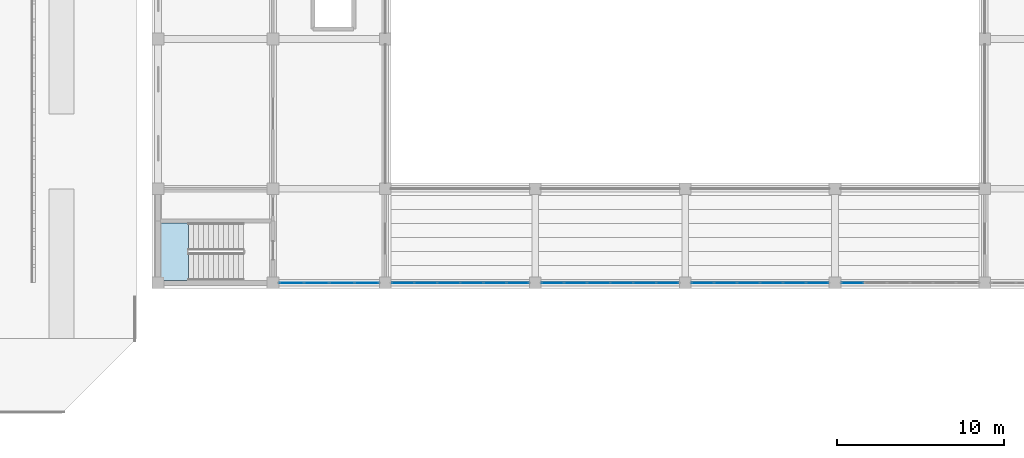
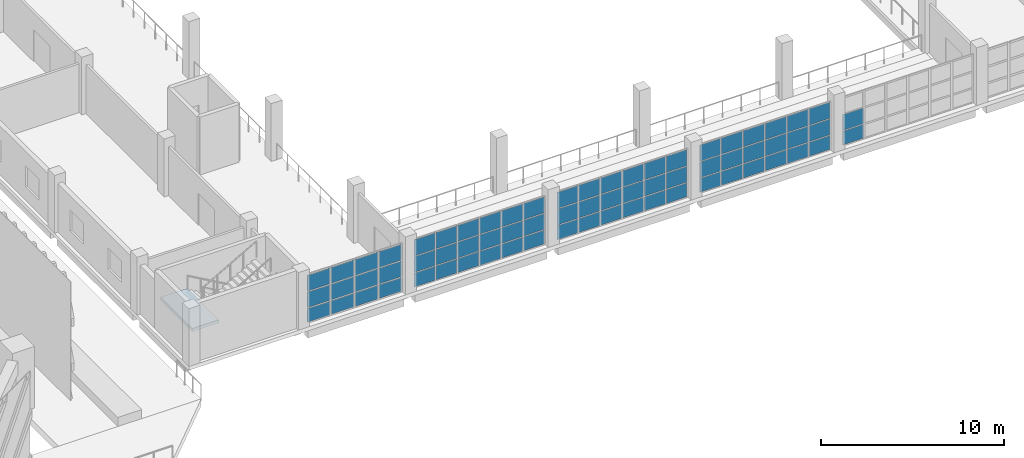
# One storey, part 13 of 36: 68 plates, 1 slab, 6 elements without a shape of their own.
"""IFC4 building model written with IfcOpenShell, lengths in metres."""

from ifc_helpers import new_model, si_unit, direction, frame, origin, origin_2d, place, context, subcontext, project, spatial, polyline, rectangle, outline, extrude, material, layer, layer_set, type_object, element, aggregate, save


model = new_model("IFC4")

# Units and contexts
model_context = context("Model", 3, precision=1e-05, world=origin(), true_north=direction((0.0, 1.0)))
body_context = subcontext(model_context, "Body", "Model", "MODEL_VIEW")
ifc_project = project(units=[si_unit("LENGTHUNIT", "METRE"), si_unit("AREAUNIT", "SQUARE_METRE"), si_unit("VOLUMEUNIT", "CUBIC_METRE"), si_unit("PLANEANGLEUNIT", "RADIAN"), si_unit("MASSUNIT", "GRAM", prefix="KILO")], contexts=[model_context])

# Site, building, storey
site_placement = place(None, origin())
site = spatial("IfcSite", under=ifc_project, at=site_placement, CompositionType="ELEMENT")
building_placement = place(site_placement, origin())
building = spatial("IfcBuilding", under=site, at=building_placement, Name="Corbel Stack Research Tower", CompositionType="ELEMENT")
storey_placement = place(building_placement, frame((0.0, 0.0, 7.199951171875)))
storey = spatial("IfcBuildingStorey", under=building, at=storey_placement, Name="L01", CompositionType="ELEMENT", Elevation=7.199951171875)

# Curtain wall, plates
ifc_material_1 = material(Name="Aluminium", Category="aluminium")
ifc_layer_1 = layer(ifc_material_1, 0.14990234375)
ifc_layer_set_1 = layer_set([ifc_layer_1], Name="Aluminium")
curtain_wall_type_1 = type_object("IfcCurtainWallType", Name="CW5 main facade curtain wall", PredefinedType="NOTDEFINED", material=ifc_layer_set_1)
curtain_wall_1_placement = place(storey_placement, origin())
curtain_wall_1 = element("IfcCurtainWall", 1, at=curtain_wall_1_placement, inside=storey, type_object=curtain_wall_type_1, Name="Main facade curtain wall L01 1", PredefinedType="NOTDEFINED")
ifc_material_2 = material(Name="Glass", Category="glass")
ifc_layer_2 = layer(ifc_material_2, 0.028076171875)
ifc_layer_set_2 = layer_set([ifc_layer_2], Name="Glass")
plate_type_1 = type_object("IfcPlateType", Name="CW5 glass panel 28", PredefinedType="CURTAIN_PANEL", material=ifc_layer_set_2)
plate_1_placement = place(storey_placement, frame((45.3212890625, -23.64990234375, 0.06005859375), z_axis=(0.0, 0.0, 1.0), x_axis=(1.0, 0.0, 0.0)))
plate_1 = element("IfcPlate", 2, at=plate_1_placement, type_object=plate_type_1, Name="CW5 panel 1.1", PredefinedType="CURTAIN_PANEL", context=body_context, shape_type="SweptSolid", body=[
    extrude(rectangle(XDim=1.422607421875, YDim=0.028076171875, at=origin_2d()), origin(), (0.0, 0.0, 1.0), 0.909912109375),
])
plate_2_placement = place(storey_placement, frame((45.3212890625, -23.64990234375, 1.030029296875), z_axis=(0.0, 0.0, 1.0), x_axis=(1.0, 0.0, 0.0)))
plate_2 = element("IfcPlate", 3, at=plate_2_placement, type_object=plate_type_1, Name="CW5 panel 1.2", PredefinedType="CURTAIN_PANEL", context=body_context, shape_type="SweptSolid", body=[
    extrude(rectangle(XDim=1.422607421875, YDim=0.028076171875, at=origin_2d()), origin(), (0.0, 0.0, 1.0), 1.0400390625),
])
plate_3_placement = place(storey_placement, frame((45.3212890625, -23.64990234375, 2.130126953125), z_axis=(0.0, 0.0, 1.0), x_axis=(1.0, 0.0, 0.0)))
plate_3 = element("IfcPlate", 4, at=plate_3_placement, type_object=plate_type_1, Name="CW5 panel 1.3", PredefinedType="CURTAIN_PANEL", context=body_context, shape_type="SweptSolid", body=[
    extrude(rectangle(XDim=1.422607421875, YDim=0.028076171875, at=origin_2d()), origin(), (0.0, 0.0, 1.0), 1.06005859375),
])
plate_4_placement = place(storey_placement, frame((46.81884765625, -23.64990234375, 0.06005859375), z_axis=(0.0, 0.0, 1.0), x_axis=(1.0, 0.0, 0.0)))
plate_4 = element("IfcPlate", 5, at=plate_4_placement, type_object=plate_type_1, Name="CW5 panel 2.1", PredefinedType="CURTAIN_PANEL", context=body_context, shape_type="SweptSolid", body=[
    extrude(rectangle(XDim=1.452392578125, YDim=0.028076171875, at=origin_2d()), origin(), (0.0, 0.0, 1.0), 0.909912109375),
])
plate_5_placement = place(storey_placement, frame((46.81884765625, -23.64990234375, 1.030029296875), z_axis=(0.0, 0.0, 1.0), x_axis=(1.0, 0.0, 0.0)))
plate_5 = element("IfcPlate", 6, at=plate_5_placement, type_object=plate_type_1, Name="CW5 panel 2.2", PredefinedType="CURTAIN_PANEL", context=body_context, shape_type="SweptSolid", body=[
    extrude(rectangle(XDim=1.452392578125, YDim=0.028076171875, at=origin_2d()), origin(), (0.0, 0.0, 1.0), 1.0400390625),
])
plate_6_placement = place(storey_placement, frame((46.81884765625, -23.64990234375, 2.130126953125), z_axis=(0.0, 0.0, 1.0), x_axis=(1.0, 0.0, 0.0)))
plate_6 = element("IfcPlate", 7, at=plate_6_placement, type_object=plate_type_1, Name="CW5 panel 2.3", PredefinedType="CURTAIN_PANEL", context=body_context, shape_type="SweptSolid", body=[
    extrude(rectangle(XDim=1.452392578125, YDim=0.028076171875, at=origin_2d()), origin(), (0.0, 0.0, 1.0), 1.06005859375),
])
plate_7_placement = place(storey_placement, frame((48.331298828125, -23.64990234375, 0.06005859375), z_axis=(0.0, 0.0, 1.0), x_axis=(1.0, 0.0, 0.0)))
plate_7 = element("IfcPlate", 8, at=plate_7_placement, type_object=plate_type_1, Name="CW5 panel 3.1", PredefinedType="CURTAIN_PANEL", context=body_context, shape_type="SweptSolid", body=[
    extrude(rectangle(XDim=1.452392578125, YDim=0.028076171875, at=origin_2d()), origin(), (0.0, 0.0, 1.0), 0.909912109375),
])
plate_8_placement = place(storey_placement, frame((48.331298828125, -23.64990234375, 1.030029296875), z_axis=(0.0, 0.0, 1.0), x_axis=(1.0, 0.0, 0.0)))
plate_8 = element("IfcPlate", 9, at=plate_8_placement, type_object=plate_type_1, Name="CW5 panel 3.2", PredefinedType="CURTAIN_PANEL", context=body_context, shape_type="SweptSolid", body=[
    extrude(rectangle(XDim=1.452392578125, YDim=0.028076171875, at=origin_2d()), origin(), (0.0, 0.0, 1.0), 1.0400390625),
])
plate_9_placement = place(storey_placement, frame((48.331298828125, -23.64990234375, 2.130126953125), z_axis=(0.0, 0.0, 1.0), x_axis=(1.0, 0.0, 0.0)))
plate_9 = element("IfcPlate", 10, at=plate_9_placement, type_object=plate_type_1, Name="CW5 panel 3.3", PredefinedType="CURTAIN_PANEL", context=body_context, shape_type="SweptSolid", body=[
    extrude(rectangle(XDim=1.452392578125, YDim=0.028076171875, at=origin_2d()), origin(), (0.0, 0.0, 1.0), 1.06005859375),
])
plate_10_placement = place(storey_placement, frame((49.828857421875, -23.64990234375, 0.06005859375), z_axis=(0.0, 0.0, 1.0), x_axis=(1.0, 0.0, 0.0)))
plate_10 = element("IfcPlate", 11, at=plate_10_placement, type_object=plate_type_1, Name="CW5 panel 4.1", PredefinedType="CURTAIN_PANEL", context=body_context, shape_type="SweptSolid", body=[
    extrude(rectangle(XDim=1.422607421875, YDim=0.028076171875, at=origin_2d()), origin(), (0.0, 0.0, 1.0), 0.909912109375),
])
plate_11_placement = place(storey_placement, frame((49.828857421875, -23.64990234375, 1.030029296875), z_axis=(0.0, 0.0, 1.0), x_axis=(1.0, 0.0, 0.0)))
plate_11 = element("IfcPlate", 12, at=plate_11_placement, type_object=plate_type_1, Name="CW5 panel 4.2", PredefinedType="CURTAIN_PANEL", context=body_context, shape_type="SweptSolid", body=[
    extrude(rectangle(XDim=1.422607421875, YDim=0.028076171875, at=origin_2d()), origin(), (0.0, 0.0, 1.0), 1.0400390625),
])
plate_12_placement = place(storey_placement, frame((49.828857421875, -23.64990234375, 2.130126953125), z_axis=(0.0, 0.0, 1.0), x_axis=(1.0, 0.0, 0.0)))
plate_12 = element("IfcPlate", 13, at=plate_12_placement, type_object=plate_type_1, Name="CW5 panel 4.3", PredefinedType="CURTAIN_PANEL", context=body_context, shape_type="SweptSolid", body=[
    extrude(rectangle(XDim=1.422607421875, YDim=0.028076171875, at=origin_2d()), origin(), (0.0, 0.0, 1.0), 1.06005859375),
])
aggregate(curtain_wall_1, [plate_1, plate_2, plate_3, plate_4, plate_5, plate_6, plate_7, plate_8, plate_9, plate_10, plate_11, plate_12])

ifc_material_3 = material(Name="Aluminium", Category="aluminium")
ifc_layer_3 = layer(ifc_material_3, 0.139892578125)
ifc_layer_set_3 = layer_set([ifc_layer_3], Name="Aluminium")
curtain_wall_type_2 = type_object("IfcCurtainWallType", Name="CW6 gallery curtain wall", PredefinedType="NOTDEFINED", material=ifc_layer_set_3)
curtain_wall_2_placement = place(storey_placement, origin())
curtain_wall_2 = element("IfcCurtainWall", 14, at=curtain_wall_2_placement, inside=storey, type_object=curtain_wall_type_2, Name="Gallery curtain wall L01 5", PredefinedType="NOTDEFINED")
ifc_material_4 = material(Name="Glass", Category="glass")
ifc_layer_4 = layer(ifc_material_4, 0.02392578125)
ifc_layer_set_4 = layer_set([ifc_layer_4], Name="Glass")
plate_type_2 = type_object("IfcPlateType", Name="CW6 glass panel 24", PredefinedType="CURTAIN_PANEL", material=ifc_layer_set_4)
plate_13_placement = place(storey_placement, frame((52.004150390625, -23.64990234375, 0.0498046875), z_axis=(0.0, 0.0, 1.0), x_axis=(1.0, 0.0, 0.0)))
plate_13 = element("IfcPlate", 15, at=plate_13_placement, type_object=plate_type_2, Name="CW6 panel 1.1", PredefinedType="CURTAIN_PANEL", context=body_context, shape_type="SweptSolid", body=[
    extrude(rectangle(XDim=1.308349609375, YDim=0.02392578125, at=origin_2d()), origin(), (0.0, 0.0, 1.0), 0.925048828125),
])
plate_14_placement = place(storey_placement, frame((52.004150390625, -23.64990234375, 1.02490234375), z_axis=(0.0, 0.0, 1.0), x_axis=(1.0, 0.0, 0.0)))
plate_14 = element("IfcPlate", 16, at=plate_14_placement, type_object=plate_type_2, Name="CW6 panel 1.2", PredefinedType="CURTAIN_PANEL", context=body_context, shape_type="SweptSolid", body=[
    extrude(rectangle(XDim=1.308349609375, YDim=0.02392578125, at=origin_2d()), origin(), (0.0, 0.0, 1.0), 1.050048828125),
])
plate_15_placement = place(storey_placement, frame((52.004150390625, -23.64990234375, 2.125), z_axis=(0.0, 0.0, 1.0), x_axis=(1.0, 0.0, 0.0)))
plate_15 = element("IfcPlate", 17, at=plate_15_placement, type_object=plate_type_2, Name="CW6 panel 1.3", PredefinedType="CURTAIN_PANEL", context=body_context, shape_type="SweptSolid", body=[
    extrude(rectangle(XDim=1.308349609375, YDim=0.02392578125, at=origin_2d()), origin(), (0.0, 0.0, 1.0), 1.074951171875),
])
plate_16_placement = place(storey_placement, frame((53.375, -23.64990234375, 0.0498046875), z_axis=(0.0, 0.0, 1.0), x_axis=(1.0, 0.0, 0.0)))
plate_16 = element("IfcPlate", 18, at=plate_16_placement, type_object=plate_type_2, Name="CW6 panel 2.1", PredefinedType="CURTAIN_PANEL", context=body_context, shape_type="SweptSolid", body=[
    extrude(rectangle(XDim=1.333251953125, YDim=0.02392578125, at=origin_2d()), origin(), (0.0, 0.0, 1.0), 0.925048828125),
])
plate_17_placement = place(storey_placement, frame((53.375, -23.64990234375, 1.02490234375), z_axis=(0.0, 0.0, 1.0), x_axis=(1.0, 0.0, 0.0)))
plate_17 = element("IfcPlate", 19, at=plate_17_placement, type_object=plate_type_2, Name="CW6 panel 2.2", PredefinedType="CURTAIN_PANEL", context=body_context, shape_type="SweptSolid", body=[
    extrude(rectangle(XDim=1.333251953125, YDim=0.02392578125, at=origin_2d()), origin(), (0.0, 0.0, 1.0), 1.050048828125),
])
plate_18_placement = place(storey_placement, frame((53.375, -23.64990234375, 2.125), z_axis=(0.0, 0.0, 1.0), x_axis=(1.0, 0.0, 0.0)))
plate_18 = element("IfcPlate", 20, at=plate_18_placement, type_object=plate_type_2, Name="CW6 panel 2.3", PredefinedType="CURTAIN_PANEL", context=body_context, shape_type="SweptSolid", body=[
    extrude(rectangle(XDim=1.333251953125, YDim=0.02392578125, at=origin_2d()), origin(), (0.0, 0.0, 1.0), 1.074951171875),
])
plate_19_placement = place(storey_placement, frame((54.75830078125, -23.64990234375, 0.0498046875), z_axis=(0.0, 0.0, 1.0), x_axis=(1.0, 0.0, 0.0)))
plate_19 = element("IfcPlate", 21, at=plate_19_placement, type_object=plate_type_2, Name="CW6 panel 3.1", PredefinedType="CURTAIN_PANEL", context=body_context, shape_type="SweptSolid", body=[
    extrude(rectangle(XDim=1.333251953125, YDim=0.02392578125, at=origin_2d()), origin(), (0.0, 0.0, 1.0), 0.925048828125),
])
plate_20_placement = place(storey_placement, frame((54.75830078125, -23.64990234375, 1.02490234375), z_axis=(0.0, 0.0, 1.0), x_axis=(1.0, 0.0, 0.0)))
plate_20 = element("IfcPlate", 22, at=plate_20_placement, type_object=plate_type_2, Name="CW6 panel 3.2", PredefinedType="CURTAIN_PANEL", context=body_context, shape_type="SweptSolid", body=[
    extrude(rectangle(XDim=1.333251953125, YDim=0.02392578125, at=origin_2d()), origin(), (0.0, 0.0, 1.0), 1.050048828125),
])
plate_21_placement = place(storey_placement, frame((54.75830078125, -23.64990234375, 2.125), z_axis=(0.0, 0.0, 1.0), x_axis=(1.0, 0.0, 0.0)))
plate_21 = element("IfcPlate", 23, at=plate_21_placement, type_object=plate_type_2, Name="CW6 panel 3.3", PredefinedType="CURTAIN_PANEL", context=body_context, shape_type="SweptSolid", body=[
    extrude(rectangle(XDim=1.333251953125, YDim=0.02392578125, at=origin_2d()), origin(), (0.0, 0.0, 1.0), 1.074951171875),
])
plate_22_placement = place(storey_placement, frame((56.1416015625, -23.64990234375, 0.0498046875), z_axis=(0.0, 0.0, 1.0), x_axis=(1.0, 0.0, 0.0)))
plate_22 = element("IfcPlate", 24, at=plate_22_placement, type_object=plate_type_2, Name="CW6 panel 4.1", PredefinedType="CURTAIN_PANEL", context=body_context, shape_type="SweptSolid", body=[
    extrude(rectangle(XDim=1.333251953125, YDim=0.02392578125, at=origin_2d()), origin(), (0.0, 0.0, 1.0), 0.925048828125),
])
plate_23_placement = place(storey_placement, frame((56.1416015625, -23.64990234375, 1.02490234375), z_axis=(0.0, 0.0, 1.0), x_axis=(1.0, 0.0, 0.0)))
plate_23 = element("IfcPlate", 25, at=plate_23_placement, type_object=plate_type_2, Name="CW6 panel 4.2", PredefinedType="CURTAIN_PANEL", context=body_context, shape_type="SweptSolid", body=[
    extrude(rectangle(XDim=1.333251953125, YDim=0.02392578125, at=origin_2d()), origin(), (0.0, 0.0, 1.0), 1.050048828125),
])
plate_24_placement = place(storey_placement, frame((56.1416015625, -23.64990234375, 2.125), z_axis=(0.0, 0.0, 1.0), x_axis=(1.0, 0.0, 0.0)))
plate_24 = element("IfcPlate", 26, at=plate_24_placement, type_object=plate_type_2, Name="CW6 panel 4.3", PredefinedType="CURTAIN_PANEL", context=body_context, shape_type="SweptSolid", body=[
    extrude(rectangle(XDim=1.333251953125, YDim=0.02392578125, at=origin_2d()), origin(), (0.0, 0.0, 1.0), 1.074951171875),
])
plate_25_placement = place(storey_placement, frame((57.52490234375, -23.64990234375, 0.0498046875), z_axis=(0.0, 0.0, 1.0), x_axis=(1.0, 0.0, 0.0)))
plate_25 = element("IfcPlate", 27, at=plate_25_placement, type_object=plate_type_2, Name="CW6 panel 5.1", PredefinedType="CURTAIN_PANEL", context=body_context, shape_type="SweptSolid", body=[
    extrude(rectangle(XDim=1.333251953125, YDim=0.02392578125, at=origin_2d()), origin(), (0.0, 0.0, 1.0), 0.925048828125),
])
plate_26_placement = place(storey_placement, frame((57.52490234375, -23.64990234375, 1.02490234375), z_axis=(0.0, 0.0, 1.0), x_axis=(1.0, 0.0, 0.0)))
plate_26 = element("IfcPlate", 28, at=plate_26_placement, type_object=plate_type_2, Name="CW6 panel 5.2", PredefinedType="CURTAIN_PANEL", context=body_context, shape_type="SweptSolid", body=[
    extrude(rectangle(XDim=1.333251953125, YDim=0.02392578125, at=origin_2d()), origin(), (0.0, 0.0, 1.0), 1.050048828125),
])
plate_27_placement = place(storey_placement, frame((57.52490234375, -23.64990234375, 2.125), z_axis=(0.0, 0.0, 1.0), x_axis=(1.0, 0.0, 0.0)))
plate_27 = element("IfcPlate", 29, at=plate_27_placement, type_object=plate_type_2, Name="CW6 panel 5.3", PredefinedType="CURTAIN_PANEL", context=body_context, shape_type="SweptSolid", body=[
    extrude(rectangle(XDim=1.333251953125, YDim=0.02392578125, at=origin_2d()), origin(), (0.0, 0.0, 1.0), 1.074951171875),
])
plate_28_placement = place(storey_placement, frame((58.895751953125, -23.64990234375, 0.0498046875), z_axis=(0.0, 0.0, 1.0), x_axis=(1.0, 0.0, 0.0)))
plate_28 = element("IfcPlate", 30, at=plate_28_placement, type_object=plate_type_2, Name="CW6 panel 6.1", PredefinedType="CURTAIN_PANEL", context=body_context, shape_type="SweptSolid", body=[
    extrude(rectangle(XDim=1.308349609375, YDim=0.02392578125, at=origin_2d()), origin(), (0.0, 0.0, 1.0), 0.925048828125),
])
plate_29_placement = place(storey_placement, frame((58.895751953125, -23.64990234375, 1.02490234375), z_axis=(0.0, 0.0, 1.0), x_axis=(1.0, 0.0, 0.0)))
plate_29 = element("IfcPlate", 31, at=plate_29_placement, type_object=plate_type_2, Name="CW6 panel 6.2", PredefinedType="CURTAIN_PANEL", context=body_context, shape_type="SweptSolid", body=[
    extrude(rectangle(XDim=1.308349609375, YDim=0.02392578125, at=origin_2d()), origin(), (0.0, 0.0, 1.0), 1.050048828125),
])
plate_30_placement = place(storey_placement, frame((58.895751953125, -23.64990234375, 2.125), z_axis=(0.0, 0.0, 1.0), x_axis=(1.0, 0.0, 0.0)))
plate_30 = element("IfcPlate", 32, at=plate_30_placement, type_object=plate_type_2, Name="CW6 panel 6.3", PredefinedType="CURTAIN_PANEL", context=body_context, shape_type="SweptSolid", body=[
    extrude(rectangle(XDim=1.308349609375, YDim=0.02392578125, at=origin_2d()), origin(), (0.0, 0.0, 1.0), 1.074951171875),
])
aggregate(curtain_wall_2, [plate_13, plate_14, plate_15, plate_16, plate_17, plate_18, plate_19, plate_20, plate_21, plate_22, plate_23, plate_24, plate_25, plate_26, plate_27, plate_28, plate_29, plate_30])

curtain_wall_3_placement = place(storey_placement, origin())
curtain_wall_3 = element("IfcCurtainWall", 33, at=curtain_wall_3_placement, inside=storey, type_object=curtain_wall_type_2, Name="Gallery curtain wall L01 6", PredefinedType="NOTDEFINED")
plate_31_placement = place(storey_placement, frame((61.004150390625, -23.64990234375, 0.0498046875), z_axis=(0.0, 0.0, 1.0), x_axis=(1.0, 0.0, 0.0)))
plate_31 = element("IfcPlate", 34, at=plate_31_placement, type_object=plate_type_2, Name="CW6 panel 1.1", PredefinedType="CURTAIN_PANEL", context=body_context, shape_type="SweptSolid", body=[
    extrude(rectangle(XDim=1.308349609375, YDim=0.02392578125, at=origin_2d()), origin(), (0.0, 0.0, 1.0), 0.925048828125),
])
plate_32_placement = place(storey_placement, frame((61.004150390625, -23.64990234375, 1.02490234375), z_axis=(0.0, 0.0, 1.0), x_axis=(1.0, 0.0, 0.0)))
plate_32 = element("IfcPlate", 35, at=plate_32_placement, type_object=plate_type_2, Name="CW6 panel 1.2", PredefinedType="CURTAIN_PANEL", context=body_context, shape_type="SweptSolid", body=[
    extrude(rectangle(XDim=1.308349609375, YDim=0.02392578125, at=origin_2d()), origin(), (0.0, 0.0, 1.0), 1.050048828125),
])
plate_33_placement = place(storey_placement, frame((61.004150390625, -23.64990234375, 2.125), z_axis=(0.0, 0.0, 1.0), x_axis=(1.0, 0.0, 0.0)))
plate_33 = element("IfcPlate", 36, at=plate_33_placement, type_object=plate_type_2, Name="CW6 panel 1.3", PredefinedType="CURTAIN_PANEL", context=body_context, shape_type="SweptSolid", body=[
    extrude(rectangle(XDim=1.308349609375, YDim=0.02392578125, at=origin_2d()), origin(), (0.0, 0.0, 1.0), 1.074951171875),
])
plate_34_placement = place(storey_placement, frame((62.375, -23.64990234375, 0.0498046875), z_axis=(0.0, 0.0, 1.0), x_axis=(1.0, 0.0, 0.0)))
plate_34 = element("IfcPlate", 37, at=plate_34_placement, type_object=plate_type_2, Name="CW6 panel 2.1", PredefinedType="CURTAIN_PANEL", context=body_context, shape_type="SweptSolid", body=[
    extrude(rectangle(XDim=1.333251953125, YDim=0.02392578125, at=origin_2d()), origin(), (0.0, 0.0, 1.0), 0.925048828125),
])
plate_35_placement = place(storey_placement, frame((62.375, -23.64990234375, 1.02490234375), z_axis=(0.0, 0.0, 1.0), x_axis=(1.0, 0.0, 0.0)))
plate_35 = element("IfcPlate", 38, at=plate_35_placement, type_object=plate_type_2, Name="CW6 panel 2.2", PredefinedType="CURTAIN_PANEL", context=body_context, shape_type="SweptSolid", body=[
    extrude(rectangle(XDim=1.333251953125, YDim=0.02392578125, at=origin_2d()), origin(), (0.0, 0.0, 1.0), 1.050048828125),
])
plate_36_placement = place(storey_placement, frame((62.375, -23.64990234375, 2.125), z_axis=(0.0, 0.0, 1.0), x_axis=(1.0, 0.0, 0.0)))
plate_36 = element("IfcPlate", 39, at=plate_36_placement, type_object=plate_type_2, Name="CW6 panel 2.3", PredefinedType="CURTAIN_PANEL", context=body_context, shape_type="SweptSolid", body=[
    extrude(rectangle(XDim=1.333251953125, YDim=0.02392578125, at=origin_2d()), origin(), (0.0, 0.0, 1.0), 1.074951171875),
])
plate_37_placement = place(storey_placement, frame((63.75830078125, -23.64990234375, 0.0498046875), z_axis=(0.0, 0.0, 1.0), x_axis=(1.0, 0.0, 0.0)))
plate_37 = element("IfcPlate", 40, at=plate_37_placement, type_object=plate_type_2, Name="CW6 panel 3.1", PredefinedType="CURTAIN_PANEL", context=body_context, shape_type="SweptSolid", body=[
    extrude(rectangle(XDim=1.333251953125, YDim=0.02392578125, at=origin_2d()), origin(), (0.0, 0.0, 1.0), 0.925048828125),
])
plate_38_placement = place(storey_placement, frame((63.75830078125, -23.64990234375, 1.02490234375), z_axis=(0.0, 0.0, 1.0), x_axis=(1.0, 0.0, 0.0)))
plate_38 = element("IfcPlate", 41, at=plate_38_placement, type_object=plate_type_2, Name="CW6 panel 3.2", PredefinedType="CURTAIN_PANEL", context=body_context, shape_type="SweptSolid", body=[
    extrude(rectangle(XDim=1.333251953125, YDim=0.02392578125, at=origin_2d()), origin(), (0.0, 0.0, 1.0), 1.050048828125),
])
plate_39_placement = place(storey_placement, frame((63.75830078125, -23.64990234375, 2.125), z_axis=(0.0, 0.0, 1.0), x_axis=(1.0, 0.0, 0.0)))
plate_39 = element("IfcPlate", 42, at=plate_39_placement, type_object=plate_type_2, Name="CW6 panel 3.3", PredefinedType="CURTAIN_PANEL", context=body_context, shape_type="SweptSolid", body=[
    extrude(rectangle(XDim=1.333251953125, YDim=0.02392578125, at=origin_2d()), origin(), (0.0, 0.0, 1.0), 1.074951171875),
])
plate_40_placement = place(storey_placement, frame((65.1416015625, -23.64990234375, 0.0498046875), z_axis=(0.0, 0.0, 1.0), x_axis=(1.0, 0.0, 0.0)))
plate_40 = element("IfcPlate", 43, at=plate_40_placement, type_object=plate_type_2, Name="CW6 panel 4.1", PredefinedType="CURTAIN_PANEL", context=body_context, shape_type="SweptSolid", body=[
    extrude(rectangle(XDim=1.333251953125, YDim=0.02392578125, at=origin_2d()), origin(), (0.0, 0.0, 1.0), 0.925048828125),
])
plate_41_placement = place(storey_placement, frame((65.1416015625, -23.64990234375, 1.02490234375), z_axis=(0.0, 0.0, 1.0), x_axis=(1.0, 0.0, 0.0)))
plate_41 = element("IfcPlate", 44, at=plate_41_placement, type_object=plate_type_2, Name="CW6 panel 4.2", PredefinedType="CURTAIN_PANEL", context=body_context, shape_type="SweptSolid", body=[
    extrude(rectangle(XDim=1.333251953125, YDim=0.02392578125, at=origin_2d()), origin(), (0.0, 0.0, 1.0), 1.050048828125),
])
plate_42_placement = place(storey_placement, frame((65.1416015625, -23.64990234375, 2.125), z_axis=(0.0, 0.0, 1.0), x_axis=(1.0, 0.0, 0.0)))
plate_42 = element("IfcPlate", 45, at=plate_42_placement, type_object=plate_type_2, Name="CW6 panel 4.3", PredefinedType="CURTAIN_PANEL", context=body_context, shape_type="SweptSolid", body=[
    extrude(rectangle(XDim=1.333251953125, YDim=0.02392578125, at=origin_2d()), origin(), (0.0, 0.0, 1.0), 1.074951171875),
])
plate_43_placement = place(storey_placement, frame((66.52490234375, -23.64990234375, 0.0498046875), z_axis=(0.0, 0.0, 1.0), x_axis=(1.0, 0.0, 0.0)))
plate_43 = element("IfcPlate", 46, at=plate_43_placement, type_object=plate_type_2, Name="CW6 panel 5.1", PredefinedType="CURTAIN_PANEL", context=body_context, shape_type="SweptSolid", body=[
    extrude(rectangle(XDim=1.333251953125, YDim=0.02392578125, at=origin_2d()), origin(), (0.0, 0.0, 1.0), 0.925048828125),
])
plate_44_placement = place(storey_placement, frame((66.52490234375, -23.64990234375, 1.02490234375), z_axis=(0.0, 0.0, 1.0), x_axis=(1.0, 0.0, 0.0)))
plate_44 = element("IfcPlate", 47, at=plate_44_placement, type_object=plate_type_2, Name="CW6 panel 5.2", PredefinedType="CURTAIN_PANEL", context=body_context, shape_type="SweptSolid", body=[
    extrude(rectangle(XDim=1.333251953125, YDim=0.02392578125, at=origin_2d()), origin(), (0.0, 0.0, 1.0), 1.050048828125),
])
plate_45_placement = place(storey_placement, frame((66.52490234375, -23.64990234375, 2.125), z_axis=(0.0, 0.0, 1.0), x_axis=(1.0, 0.0, 0.0)))
plate_45 = element("IfcPlate", 48, at=plate_45_placement, type_object=plate_type_2, Name="CW6 panel 5.3", PredefinedType="CURTAIN_PANEL", context=body_context, shape_type="SweptSolid", body=[
    extrude(rectangle(XDim=1.333251953125, YDim=0.02392578125, at=origin_2d()), origin(), (0.0, 0.0, 1.0), 1.074951171875),
])
plate_46_placement = place(storey_placement, frame((67.895751953125, -23.64990234375, 0.0498046875), z_axis=(0.0, 0.0, 1.0), x_axis=(1.0, 0.0, 0.0)))
plate_46 = element("IfcPlate", 49, at=plate_46_placement, type_object=plate_type_2, Name="CW6 panel 6.1", PredefinedType="CURTAIN_PANEL", context=body_context, shape_type="SweptSolid", body=[
    extrude(rectangle(XDim=1.308349609375, YDim=0.02392578125, at=origin_2d()), origin(), (0.0, 0.0, 1.0), 0.925048828125),
])
plate_47_placement = place(storey_placement, frame((67.895751953125, -23.64990234375, 1.02490234375), z_axis=(0.0, 0.0, 1.0), x_axis=(1.0, 0.0, 0.0)))
plate_47 = element("IfcPlate", 50, at=plate_47_placement, type_object=plate_type_2, Name="CW6 panel 6.2", PredefinedType="CURTAIN_PANEL", context=body_context, shape_type="SweptSolid", body=[
    extrude(rectangle(XDim=1.308349609375, YDim=0.02392578125, at=origin_2d()), origin(), (0.0, 0.0, 1.0), 1.050048828125),
])
plate_48_placement = place(storey_placement, frame((67.895751953125, -23.64990234375, 2.125), z_axis=(0.0, 0.0, 1.0), x_axis=(1.0, 0.0, 0.0)))
plate_48 = element("IfcPlate", 51, at=plate_48_placement, type_object=plate_type_2, Name="CW6 panel 6.3", PredefinedType="CURTAIN_PANEL", context=body_context, shape_type="SweptSolid", body=[
    extrude(rectangle(XDim=1.308349609375, YDim=0.02392578125, at=origin_2d()), origin(), (0.0, 0.0, 1.0), 1.074951171875),
])
aggregate(curtain_wall_3, [plate_31, plate_32, plate_33, plate_34, plate_35, plate_36, plate_37, plate_38, plate_39, plate_40, plate_41, plate_42, plate_43, plate_44, plate_45, plate_46, plate_47, plate_48])

curtain_wall_4_placement = place(storey_placement, origin())
curtain_wall_4 = element("IfcCurtainWall", 52, at=curtain_wall_4_placement, inside=storey, type_object=curtain_wall_type_2, Name="Gallery curtain wall L01 7", PredefinedType="NOTDEFINED")
plate_49_placement = place(storey_placement, frame((70.004150390625, -23.64990234375, 0.0498046875), z_axis=(0.0, 0.0, 1.0), x_axis=(1.0, 0.0, 0.0)))
plate_49 = element("IfcPlate", 53, at=plate_49_placement, type_object=plate_type_2, Name="CW6 panel 1.1", PredefinedType="CURTAIN_PANEL", context=body_context, shape_type="SweptSolid", body=[
    extrude(rectangle(XDim=1.308349609375, YDim=0.02392578125, at=origin_2d()), origin(), (0.0, 0.0, 1.0), 0.925048828125),
])
plate_50_placement = place(storey_placement, frame((70.004150390625, -23.64990234375, 1.02490234375), z_axis=(0.0, 0.0, 1.0), x_axis=(1.0, 0.0, 0.0)))
plate_50 = element("IfcPlate", 54, at=plate_50_placement, type_object=plate_type_2, Name="CW6 panel 1.2", PredefinedType="CURTAIN_PANEL", context=body_context, shape_type="SweptSolid", body=[
    extrude(rectangle(XDim=1.308349609375, YDim=0.02392578125, at=origin_2d()), origin(), (0.0, 0.0, 1.0), 1.050048828125),
])
plate_51_placement = place(storey_placement, frame((70.004150390625, -23.64990234375, 2.125), z_axis=(0.0, 0.0, 1.0), x_axis=(1.0, 0.0, 0.0)))
plate_51 = element("IfcPlate", 55, at=plate_51_placement, type_object=plate_type_2, Name="CW6 panel 1.3", PredefinedType="CURTAIN_PANEL", context=body_context, shape_type="SweptSolid", body=[
    extrude(rectangle(XDim=1.308349609375, YDim=0.02392578125, at=origin_2d()), origin(), (0.0, 0.0, 1.0), 1.074951171875),
])
plate_52_placement = place(storey_placement, frame((71.375, -23.64990234375, 0.0498046875), z_axis=(0.0, 0.0, 1.0), x_axis=(1.0, 0.0, 0.0)))
plate_52 = element("IfcPlate", 56, at=plate_52_placement, type_object=plate_type_2, Name="CW6 panel 2.1", PredefinedType="CURTAIN_PANEL", context=body_context, shape_type="SweptSolid", body=[
    extrude(rectangle(XDim=1.333251953125, YDim=0.02392578125, at=origin_2d()), origin(), (0.0, 0.0, 1.0), 0.925048828125),
])
plate_53_placement = place(storey_placement, frame((71.375, -23.64990234375, 1.02490234375), z_axis=(0.0, 0.0, 1.0), x_axis=(1.0, 0.0, 0.0)))
plate_53 = element("IfcPlate", 57, at=plate_53_placement, type_object=plate_type_2, Name="CW6 panel 2.2", PredefinedType="CURTAIN_PANEL", context=body_context, shape_type="SweptSolid", body=[
    extrude(rectangle(XDim=1.333251953125, YDim=0.02392578125, at=origin_2d()), origin(), (0.0, 0.0, 1.0), 1.050048828125),
])
plate_54_placement = place(storey_placement, frame((71.375, -23.64990234375, 2.125), z_axis=(0.0, 0.0, 1.0), x_axis=(1.0, 0.0, 0.0)))
plate_54 = element("IfcPlate", 58, at=plate_54_placement, type_object=plate_type_2, Name="CW6 panel 2.3", PredefinedType="CURTAIN_PANEL", context=body_context, shape_type="SweptSolid", body=[
    extrude(rectangle(XDim=1.333251953125, YDim=0.02392578125, at=origin_2d()), origin(), (0.0, 0.0, 1.0), 1.074951171875),
])
plate_55_placement = place(storey_placement, frame((72.75830078125, -23.64990234375, 0.0498046875), z_axis=(0.0, 0.0, 1.0), x_axis=(1.0, 0.0, 0.0)))
plate_55 = element("IfcPlate", 59, at=plate_55_placement, type_object=plate_type_2, Name="CW6 panel 3.1", PredefinedType="CURTAIN_PANEL", context=body_context, shape_type="SweptSolid", body=[
    extrude(rectangle(XDim=1.333251953125, YDim=0.02392578125, at=origin_2d()), origin(), (0.0, 0.0, 1.0), 0.925048828125),
])
plate_56_placement = place(storey_placement, frame((72.75830078125, -23.64990234375, 1.02490234375), z_axis=(0.0, 0.0, 1.0), x_axis=(1.0, 0.0, 0.0)))
plate_56 = element("IfcPlate", 60, at=plate_56_placement, type_object=plate_type_2, Name="CW6 panel 3.2", PredefinedType="CURTAIN_PANEL", context=body_context, shape_type="SweptSolid", body=[
    extrude(rectangle(XDim=1.333251953125, YDim=0.02392578125, at=origin_2d()), origin(), (0.0, 0.0, 1.0), 1.050048828125),
])
plate_57_placement = place(storey_placement, frame((72.75830078125, -23.64990234375, 2.125), z_axis=(0.0, 0.0, 1.0), x_axis=(1.0, 0.0, 0.0)))
plate_57 = element("IfcPlate", 61, at=plate_57_placement, type_object=plate_type_2, Name="CW6 panel 3.3", PredefinedType="CURTAIN_PANEL", context=body_context, shape_type="SweptSolid", body=[
    extrude(rectangle(XDim=1.333251953125, YDim=0.02392578125, at=origin_2d()), origin(), (0.0, 0.0, 1.0), 1.074951171875),
])
plate_58_placement = place(storey_placement, frame((74.1416015625, -23.64990234375, 0.0498046875), z_axis=(0.0, 0.0, 1.0), x_axis=(1.0, 0.0, 0.0)))
plate_58 = element("IfcPlate", 62, at=plate_58_placement, type_object=plate_type_2, Name="CW6 panel 4.1", PredefinedType="CURTAIN_PANEL", context=body_context, shape_type="SweptSolid", body=[
    extrude(rectangle(XDim=1.333251953125, YDim=0.02392578125, at=origin_2d()), origin(), (0.0, 0.0, 1.0), 0.925048828125),
])
plate_59_placement = place(storey_placement, frame((74.1416015625, -23.64990234375, 1.02490234375), z_axis=(0.0, 0.0, 1.0), x_axis=(1.0, 0.0, 0.0)))
plate_59 = element("IfcPlate", 63, at=plate_59_placement, type_object=plate_type_2, Name="CW6 panel 4.2", PredefinedType="CURTAIN_PANEL", context=body_context, shape_type="SweptSolid", body=[
    extrude(rectangle(XDim=1.333251953125, YDim=0.02392578125, at=origin_2d()), origin(), (0.0, 0.0, 1.0), 1.050048828125),
])
plate_60_placement = place(storey_placement, frame((74.1416015625, -23.64990234375, 2.125), z_axis=(0.0, 0.0, 1.0), x_axis=(1.0, 0.0, 0.0)))
plate_60 = element("IfcPlate", 64, at=plate_60_placement, type_object=plate_type_2, Name="CW6 panel 4.3", PredefinedType="CURTAIN_PANEL", context=body_context, shape_type="SweptSolid", body=[
    extrude(rectangle(XDim=1.333251953125, YDim=0.02392578125, at=origin_2d()), origin(), (0.0, 0.0, 1.0), 1.074951171875),
])
plate_61_placement = place(storey_placement, frame((75.52490234375, -23.64990234375, 0.0498046875), z_axis=(0.0, 0.0, 1.0), x_axis=(1.0, 0.0, 0.0)))
plate_61 = element("IfcPlate", 65, at=plate_61_placement, type_object=plate_type_2, Name="CW6 panel 5.1", PredefinedType="CURTAIN_PANEL", context=body_context, shape_type="SweptSolid", body=[
    extrude(rectangle(XDim=1.333251953125, YDim=0.02392578125, at=origin_2d()), origin(), (0.0, 0.0, 1.0), 0.925048828125),
])
plate_62_placement = place(storey_placement, frame((75.52490234375, -23.64990234375, 1.02490234375), z_axis=(0.0, 0.0, 1.0), x_axis=(1.0, 0.0, 0.0)))
plate_62 = element("IfcPlate", 66, at=plate_62_placement, type_object=plate_type_2, Name="CW6 panel 5.2", PredefinedType="CURTAIN_PANEL", context=body_context, shape_type="SweptSolid", body=[
    extrude(rectangle(XDim=1.333251953125, YDim=0.02392578125, at=origin_2d()), origin(), (0.0, 0.0, 1.0), 1.050048828125),
])
plate_63_placement = place(storey_placement, frame((75.52490234375, -23.64990234375, 2.125), z_axis=(0.0, 0.0, 1.0), x_axis=(1.0, 0.0, 0.0)))
plate_63 = element("IfcPlate", 67, at=plate_63_placement, type_object=plate_type_2, Name="CW6 panel 5.3", PredefinedType="CURTAIN_PANEL", context=body_context, shape_type="SweptSolid", body=[
    extrude(rectangle(XDim=1.333251953125, YDim=0.02392578125, at=origin_2d()), origin(), (0.0, 0.0, 1.0), 1.074951171875),
])
plate_64_placement = place(storey_placement, frame((76.895751953125, -23.64990234375, 0.0498046875), z_axis=(0.0, 0.0, 1.0), x_axis=(1.0, 0.0, 0.0)))
plate_64 = element("IfcPlate", 68, at=plate_64_placement, type_object=plate_type_2, Name="CW6 panel 6.1", PredefinedType="CURTAIN_PANEL", context=body_context, shape_type="SweptSolid", body=[
    extrude(rectangle(XDim=1.308349609375, YDim=0.02392578125, at=origin_2d()), origin(), (0.0, 0.0, 1.0), 0.925048828125),
])
plate_65_placement = place(storey_placement, frame((76.895751953125, -23.64990234375, 1.02490234375), z_axis=(0.0, 0.0, 1.0), x_axis=(1.0, 0.0, 0.0)))
plate_65 = element("IfcPlate", 69, at=plate_65_placement, type_object=plate_type_2, Name="CW6 panel 6.2", PredefinedType="CURTAIN_PANEL", context=body_context, shape_type="SweptSolid", body=[
    extrude(rectangle(XDim=1.308349609375, YDim=0.02392578125, at=origin_2d()), origin(), (0.0, 0.0, 1.0), 1.050048828125),
])
plate_66_placement = place(storey_placement, frame((76.895751953125, -23.64990234375, 2.125), z_axis=(0.0, 0.0, 1.0), x_axis=(1.0, 0.0, 0.0)))
plate_66 = element("IfcPlate", 70, at=plate_66_placement, type_object=plate_type_2, Name="CW6 panel 6.3", PredefinedType="CURTAIN_PANEL", context=body_context, shape_type="SweptSolid", body=[
    extrude(rectangle(XDim=1.308349609375, YDim=0.02392578125, at=origin_2d()), origin(), (0.0, 0.0, 1.0), 1.074951171875),
])
aggregate(curtain_wall_4, [plate_49, plate_50, plate_51, plate_52, plate_53, plate_54, plate_55, plate_56, plate_57, plate_58, plate_59, plate_60, plate_61, plate_62, plate_63, plate_64, plate_65, plate_66])

curtain_wall_5_placement = place(storey_placement, origin())
curtain_wall_5 = element("IfcCurtainWall", 71, at=curtain_wall_5_placement, inside=storey, type_object=curtain_wall_type_2, Name="Gallery curtain wall L01 8", PredefinedType="NOTDEFINED")
plate_67_placement = place(storey_placement, frame((79.004150390625, -23.64990234375, 0.0498046875), z_axis=(0.0, 0.0, 1.0), x_axis=(1.0, 0.0, 0.0)))
plate_67 = element("IfcPlate", 72, at=plate_67_placement, type_object=plate_type_2, Name="CW6 panel 1.1", PredefinedType="CURTAIN_PANEL", context=body_context, shape_type="SweptSolid", body=[
    extrude(rectangle(XDim=1.308349609375, YDim=0.02392578125, at=origin_2d()), origin(), (0.0, 0.0, 1.0), 0.925048828125),
])
plate_68_placement = place(storey_placement, frame((79.004150390625, -23.64990234375, 1.02490234375), z_axis=(0.0, 0.0, 1.0), x_axis=(1.0, 0.0, 0.0)))
plate_68 = element("IfcPlate", 73, at=plate_68_placement, type_object=plate_type_2, Name="CW6 panel 1.2", PredefinedType="CURTAIN_PANEL", context=body_context, shape_type="SweptSolid", body=[
    extrude(rectangle(XDim=1.308349609375, YDim=0.02392578125, at=origin_2d()), origin(), (0.0, 0.0, 1.0), 1.050048828125),
])
aggregate(curtain_wall_5, [plate_67, plate_68])

# Stair, slab
ifc_material_5 = material(Name="Concrete C40/50", Category="concrete")
stair_type = type_object("IfcStairType", Name="HST1 exit stair", PredefinedType="HALF_TURN_STAIR", material=ifc_material_5)
stair_placement = place(storey_placement, origin())
stair = element("IfcStair", 74, at=stair_placement, inside=storey, type_object=stair_type, Name="L01 exit stair 1", PredefinedType="HALF_TURN_STAIR")
ifc_material_6 = material(Name="Concrete C40/50", Category="concrete")
ifc_layer_5 = layer(ifc_material_6, 0.199951171875)
ifc_layer_set_5 = layer_set([ifc_layer_5], Name="Concrete C40/50")
slab_type = type_object("IfcSlabType", Name="HS4 stair landing 200", PredefinedType="LANDING", material=ifc_layer_set_5)
slab_placement = place(storey_placement, frame((0.0, 0.0, 1.85009765625)))
slab = element("IfcSlab", 75, at=slab_placement, type_object=slab_type, Name="HS1 landing 1", PredefinedType="LANDING", context=body_context, shape_type="SweptSolid", body=[
    extrude(outline(polyline([(39.125, -20.050048828125), (37.449951171875, -20.050048828125), (37.449951171875, -23.5), (39.125, -23.5), (39.125, -20.050048828125)])), origin(), (0.0, 0.0, 1.0), 0.199951171875),
])
aggregate(stair, [slab])

save(model, "model.ifc")
